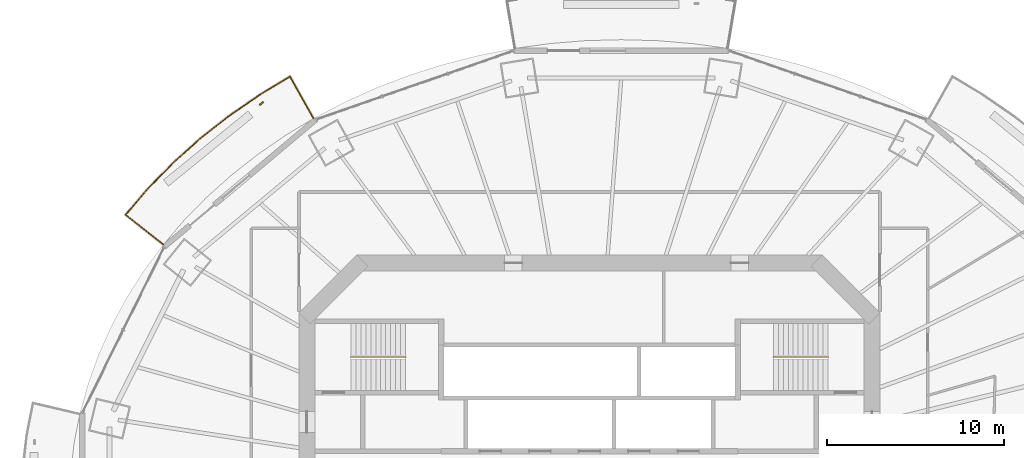
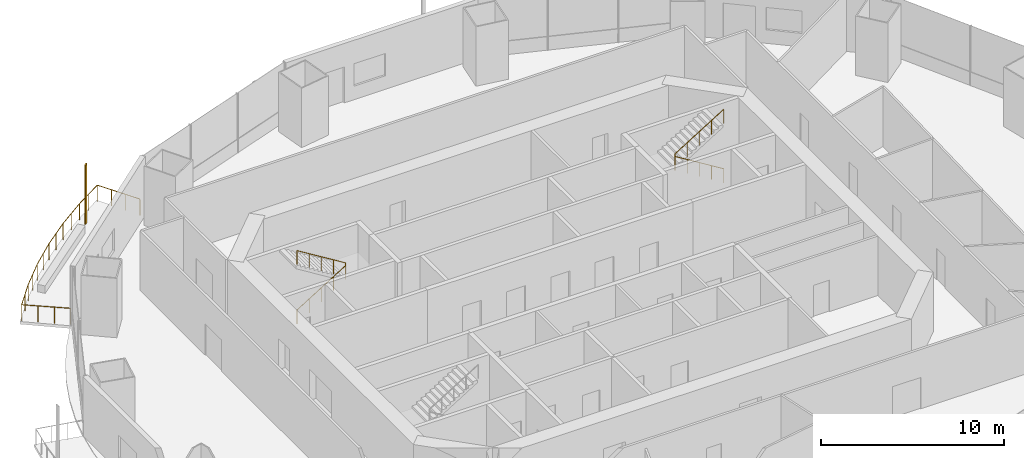
# One storey, part 17 of 20: 3 railings, 1 shading device.
"""IFC4 building model written with IfcOpenShell, lengths in metres."""

from ifc_helpers import new_model, si_unit, direction, frame, origin, origin_2d, place, context, subcontext, project, spatial, rectangle, circle, extrude, material, material_profile, profile_set, type_object, element, save


model = new_model("IFC4")

# Units and contexts
model_context = context("Model", 3, precision=1e-05, world=origin(), true_north=direction((0.0, 1.0)))
body_context = subcontext(model_context, "Body", "Model", "MODEL_VIEW")
ifc_project = project(units=[si_unit("LENGTHUNIT", "METRE"), si_unit("AREAUNIT", "SQUARE_METRE"), si_unit("VOLUMEUNIT", "CUBIC_METRE"), si_unit("PLANEANGLEUNIT", "RADIAN"), si_unit("MASSUNIT", "GRAM", prefix="KILO")], contexts=[model_context])

# Site, building, storey
site_placement = place(None, origin())
site = spatial("IfcSite", under=ifc_project, at=site_placement, CompositionType="ELEMENT")
building_placement = place(site_placement, origin())
building = spatial("IfcBuilding", under=site, at=building_placement, Name="Marenthal Gate Tower", CompositionType="ELEMENT")
storey_placement = place(building_placement, frame((0.0, 0.0, 210.85009765625)))
storey = spatial("IfcBuildingStorey", under=building, at=storey_placement, Name="L46", CompositionType="ELEMENT", Elevation=210.85009765625)

# Railings
ifc_material_1 = material(Name="Stainless steel", Category="steel")
railing_type_1 = type_object("IfcRailingType", Name="Balcony guard 1100", PredefinedType="GUARDRAIL", material=ifc_material_1)
railing_1_placement = place(storey_placement, frame((-24.133544921875, 14.04638671875, 0.0)))
element("IfcRailing", 1, at=railing_1_placement, inside=storey, type_object=railing_type_1, Name="Balcony guard L46 bay 6", PredefinedType="GUARDRAIL", context=body_context, shape_type="SweptSolid", body=[
    extrude(circle(Radius=0.02392578125, at=origin_2d()), frame((0.0, 0.0, 1.076171875), z_axis=(-0.782855020802, 0.62203005264, -0.014718356461), x_axis=(-0.622097438779, -0.78293982953, 0.0)), (0.0, 0.0, 1.0), 2.720458984375),
    extrude(circle(Radius=0.02392578125, at=origin_2d()), frame((-2.129638671875, 1.692138671875, 1.0361328125), z_axis=(0.650003821806, 0.759930938729, 0.0), x_axis=(-0.759930938729, 0.650003821806, 0.0)), (0.0, 0.0, 1.0), 1.941162109375),
    extrude(circle(Radius=0.02392578125, at=origin_2d()), frame((-0.867919921875, 3.167236328125, 1.0361328125), z_axis=(0.698852162548, 0.715266142707, 0.0), x_axis=(-0.715266142707, 0.698852162548, 0.0)), (0.0, 0.0, 1.0), 2.037841796875),
    extrude(circle(Radius=0.02392578125, at=origin_2d()), frame((0.55615234375, 4.624755859375, 1.0361328125), z_axis=(0.744380056443, 0.667756191712, 0.0), x_axis=(-0.667756191712, 0.744380056443, 0.0)), (0.0, 0.0, 1.0), 2.05517578125),
    extrude(circle(Radius=0.02392578125, at=origin_2d()), frame((2.0859375, 5.9970703125, 1.0361328125), z_axis=(0.78593395674, 0.618310452477, 0.0), x_axis=(-0.618310452477, 0.78593395674, 0.0)), (0.0, 0.0, 1.0), 2.072509765625),
    extrude(circle(Radius=0.02392578125, at=origin_2d()), frame((3.71484375, 7.278564453125, 1.0361328125), z_axis=(0.823267382134, 0.56765378314, 0.0), x_axis=(-0.56765378314, 0.823267382134, 0.0)), (0.0, 0.0, 1.0), 2.08984375),
    extrude(circle(Radius=0.02392578125, at=origin_2d()), frame((5.435302734375, 8.46484375, 1.0361328125), z_axis=(0.856107698036, 0.516797454873, 0.0), x_axis=(-0.516797454873, 0.856107698036, 0.0)), (0.0, 0.0, 1.0), 2.026123046875),
    extrude(circle(Radius=0.02392578125, at=origin_2d()), frame((7.169921875, 9.511962890625, 1.0361328125), z_axis=(0.489760652224, -0.871732676388, 0.014718846796), x_axis=(0.871827119757, 0.489813712809, 0.0)), (0.0, 0.0, 1.0), 2.72021484375),
    extrude(circle(Radius=0.02099609375, at=origin_2d()), origin(), (0.0, 0.0, 1.0), 1.052001953125),
    extrude(circle(Radius=0.02099609375, at=origin_2d()), frame((-0.7099609375, 0.56396484375, -0.013427734375)), (0.0, 0.0, 1.0), 1.052001953125),
    extrude(circle(Radius=0.02099609375, at=origin_2d()), frame((-1.419677734375, 1.128173828125, -0.026611328125)), (0.0, 0.0, 1.0), 1.052001953125),
    extrude(circle(Radius=0.02099609375, at=origin_2d()), frame((-2.129638671875, 1.692138671875, -0.0400390625)), (0.0, 0.0, 1.0), 1.052001953125),
    extrude(circle(Radius=0.02099609375, at=origin_2d()), frame((-1.498779296875, 2.4296875, -0.0400390625)), (0.0, 0.0, 1.0), 1.052001953125),
    extrude(circle(Radius=0.02099609375, at=origin_2d()), frame((-0.867919921875, 3.167236328125, -0.0400390625)), (0.0, 0.0, 1.0), 1.052001953125),
    extrude(circle(Radius=0.02099609375, at=origin_2d()), frame((-0.15576171875, 3.89599609375, -0.0400390625)), (0.0, 0.0, 1.0), 1.052001953125),
    extrude(circle(Radius=0.02099609375, at=origin_2d()), frame((0.55615234375, 4.624755859375, -0.0400390625)), (0.0, 0.0, 1.0), 1.052001953125),
    extrude(circle(Radius=0.02099609375, at=origin_2d()), frame((1.321044921875, 5.31103515625, -0.0400390625)), (0.0, 0.0, 1.0), 1.052001953125),
    extrude(circle(Radius=0.02099609375, at=origin_2d()), frame((2.0859375, 5.9970703125, -0.0400390625)), (0.0, 0.0, 1.0), 1.052001953125),
    extrude(circle(Radius=0.02099609375, at=origin_2d()), frame((2.900390625, 6.6376953125, -0.0400390625)), (0.0, 0.0, 1.0), 1.052001953125),
    extrude(circle(Radius=0.02099609375, at=origin_2d()), frame((3.71484375, 7.278564453125, -0.0400390625)), (0.0, 0.0, 1.0), 1.052001953125),
    extrude(circle(Radius=0.02099609375, at=origin_2d()), frame((4.5751953125, 7.87158203125, -0.0400390625)), (0.0, 0.0, 1.0), 1.052001953125),
    extrude(circle(Radius=0.02099609375, at=origin_2d()), frame((5.435302734375, 8.46484375, -0.0400390625)), (0.0, 0.0, 1.0), 1.052001953125),
    extrude(circle(Radius=0.02099609375, at=origin_2d()), frame((6.302734375, 8.98828125, -0.0400390625)), (0.0, 0.0, 1.0), 1.052001953125),
    extrude(circle(Radius=0.02099609375, at=origin_2d()), frame((7.169921875, 9.511962890625, -0.0400390625)), (0.0, 0.0, 1.0), 1.052001953125),
    extrude(circle(Radius=0.02099609375, at=origin_2d()), frame((7.614013671875, 8.721435546875, -0.026611328125)), (0.0, 0.0, 1.0), 1.052001953125),
    extrude(circle(Radius=0.02099609375, at=origin_2d()), frame((8.05810546875, 7.93115234375, -0.013427734375)), (0.0, 0.0, 1.0), 1.052001953125),
    extrude(circle(Radius=0.02099609375, at=origin_2d()), frame((8.502197265625, 7.140625, 0.0)), (0.0, 0.0, 1.0), 1.052001953125),
])
ifc_material_2 = material(Name="Stainless steel", Category="steel")
railing_type_2 = type_object("IfcRailingType", Name="Stair handrail", PredefinedType="HANDRAIL", material=ifc_material_2)
railing_2_placement = place(storey_placement, frame((-13.5, 7.675048828125, 0.1728515625)))
element("IfcRailing", 2, at=railing_2_placement, inside=storey, type_object=railing_type_2, Name="Handrail ST1", PredefinedType="HANDRAIL", context=body_context, shape_type="SweptSolid", body=[
    extrude(circle(Radius=0.0224609375, at=origin_2d()), frame((0.0, 0.0, 0.927490234375), z_axis=(0.850835241893, 0.0, 0.525432575268), x_axis=(0.0, 1.0, 0.0)), (0.0, 0.0, 1.0), 3.6201171875),
    extrude(circle(Radius=0.0224609375, at=origin_2d()), frame((3.080078125, 0.0, 2.82958984375), z_axis=(0.0, 0.0, 1.0), x_axis=(1.0, 0.0, 0.0)), (0.0, 0.0, 1.0), 0.1728515625),
    extrude(circle(Radius=0.0224609375, at=origin_2d()), frame((3.080078125, 0.0, 3.00244140625), z_axis=(-0.850835241893, 0.0, 0.525432575268), x_axis=(0.0, -1.0, 0.0)), (0.0, 0.0, 1.0), 3.6201171875),
    extrude(circle(Radius=0.02001953125, at=origin_2d()), origin(), (0.0, 0.0, 1.0), 0.905029296875),
    extrude(circle(Radius=0.02001953125, at=origin_2d()), frame((0.77001953125, 0.0, 0.4755859375)), (0.0, 0.0, 1.0), 0.905029296875),
    extrude(circle(Radius=0.02001953125, at=origin_2d()), frame((1.5400390625, 0.0, 0.951171875)), (0.0, 0.0, 1.0), 0.905029296875),
    extrude(circle(Radius=0.02001953125, at=origin_2d()), frame((2.31005859375, 0.0, 1.426513671875)), (0.0, 0.0, 1.0), 0.905029296875),
    extrude(circle(Radius=0.02001953125, at=origin_2d()), frame((3.080078125, 0.0, 1.902099609375)), (0.0, 0.0, 1.0), 0.905029296875),
    extrude(circle(Radius=0.02001953125, at=origin_2d()), frame((3.080078125, 0.0, 2.074951171875)), (0.0, 0.0, 1.0), 0.905029296875),
    extrude(circle(Radius=0.02001953125, at=origin_2d()), frame((2.31005859375, 0.0, 2.550537109375)), (0.0, 0.0, 1.0), 0.905029296875),
    extrude(circle(Radius=0.02001953125, at=origin_2d()), frame((1.5400390625, 0.0, 3.02587890625)), (0.0, 0.0, 1.0), 0.905029296875),
    extrude(circle(Radius=0.02001953125, at=origin_2d()), frame((0.77001953125, 0.0, 3.50146484375)), (0.0, 0.0, 1.0), 0.905029296875),
    extrude(circle(Radius=0.02001953125, at=origin_2d()), frame((0.0, 0.0, 3.97705078125)), (0.0, 0.0, 1.0), 0.905029296875),
])
railing_3_placement = place(storey_placement, frame((13.5, 7.675048828125, 0.1728515625)))
element("IfcRailing", 3, at=railing_3_placement, inside=storey, type_object=railing_type_2, Name="Handrail ST3", PredefinedType="HANDRAIL", context=body_context, shape_type="SweptSolid", body=[
    extrude(circle(Radius=0.0224609375, at=origin_2d()), frame((0.0, 0.0, 0.927490234375), z_axis=(-0.850835241893, 0.0, 0.525432575268), x_axis=(0.0, -1.0, 0.0)), (0.0, 0.0, 1.0), 3.6201171875),
    extrude(circle(Radius=0.0224609375, at=origin_2d()), frame((-3.080078125, 0.0, 2.82958984375), z_axis=(0.0, 0.0, 1.0), x_axis=(1.0, 0.0, 0.0)), (0.0, 0.0, 1.0), 0.1728515625),
    extrude(circle(Radius=0.0224609375, at=origin_2d()), frame((-3.080078125, 0.0, 3.00244140625), z_axis=(0.850835241893, 0.0, 0.525432575268), x_axis=(0.0, 1.0, 0.0)), (0.0, 0.0, 1.0), 3.6201171875),
    extrude(circle(Radius=0.02001953125, at=origin_2d()), origin(), (0.0, 0.0, 1.0), 0.905029296875),
    extrude(circle(Radius=0.02001953125, at=origin_2d()), frame((-0.77001953125, 0.0, 0.4755859375)), (0.0, 0.0, 1.0), 0.905029296875),
    extrude(circle(Radius=0.02001953125, at=origin_2d()), frame((-1.5400390625, 0.0, 0.951171875)), (0.0, 0.0, 1.0), 0.905029296875),
    extrude(circle(Radius=0.02001953125, at=origin_2d()), frame((-2.31005859375, 0.0, 1.426513671875)), (0.0, 0.0, 1.0), 0.905029296875),
    extrude(circle(Radius=0.02001953125, at=origin_2d()), frame((-3.080078125, 0.0, 1.902099609375)), (0.0, 0.0, 1.0), 0.905029296875),
    extrude(circle(Radius=0.02001953125, at=origin_2d()), frame((-3.080078125, 0.0, 2.074951171875)), (0.0, 0.0, 1.0), 0.905029296875),
    extrude(circle(Radius=0.02001953125, at=origin_2d()), frame((-2.31005859375, 0.0, 2.550537109375)), (0.0, 0.0, 1.0), 0.905029296875),
    extrude(circle(Radius=0.02001953125, at=origin_2d()), frame((-1.5400390625, 0.0, 3.02587890625)), (0.0, 0.0, 1.0), 0.905029296875),
    extrude(circle(Radius=0.02001953125, at=origin_2d()), frame((-0.77001953125, 0.0, 3.50146484375)), (0.0, 0.0, 1.0), 0.905029296875),
    extrude(circle(Radius=0.02001953125, at=origin_2d()), frame((0.0, 0.0, 3.97705078125)), (0.0, 0.0, 1.0), 0.905029296875),
])

# Shading device
ifc_material_3 = material(Name="Terracotta", Category="masonry")
ifc_material_profile = material_profile(ifc_material_3, rectangle(XDim=0.25, YDim=0.080078125, at=origin_2d()), Name="Terracotta baguette 250x80")
ifc_profile_set = profile_set([ifc_material_profile], Name="Terracotta")
shading_device_type = type_object("IfcShadingDeviceType", Name="Terracotta BAGUETTE SCREEN 250x80", PredefinedType="USERDEFINED", material=ifc_profile_set)
shading_device_placement = place(storey_placement, frame((-18.57275390625, 22.03759765625, -0.0400390625), z_axis=(0.0, 0.0, 1.0), x_axis=(-0.765627996549, -0.643283585131, 0.0)))
element("IfcShadingDevice", 4, at=shading_device_placement, inside=storey, type_object=shading_device_type, Name="Terracotta BAGUETTE L46 bay 6L", ObjectType="BAGUETTE SCREEN", PredefinedType="USERDEFINED", context=body_context, shape_type="SweptSolid", body=[
    extrude(rectangle(XDim=0.25, YDim=0.080078125, at=origin_2d()), origin(), (0.0, 0.0, 1.0), 3.969970703125),
])

save(model, "model.ifc")
